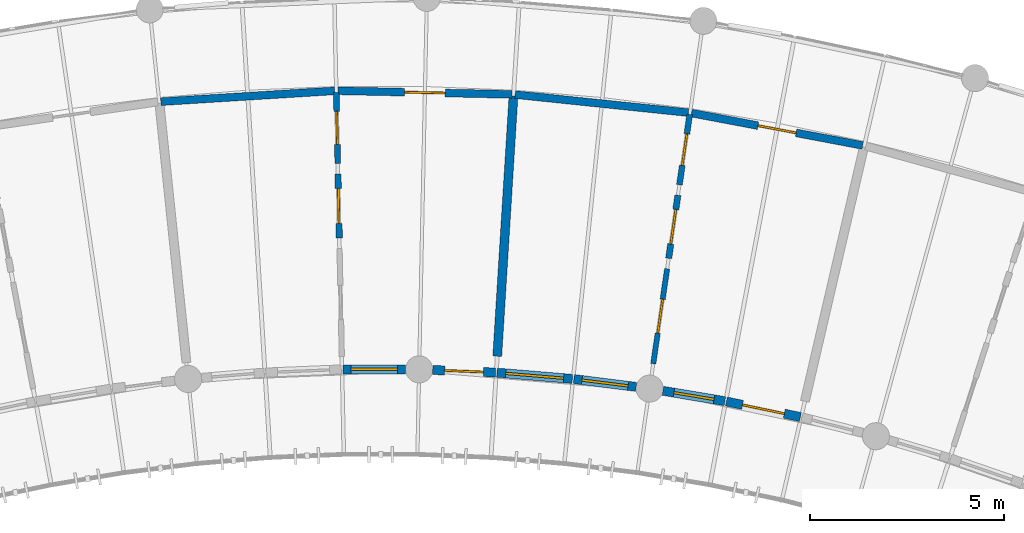
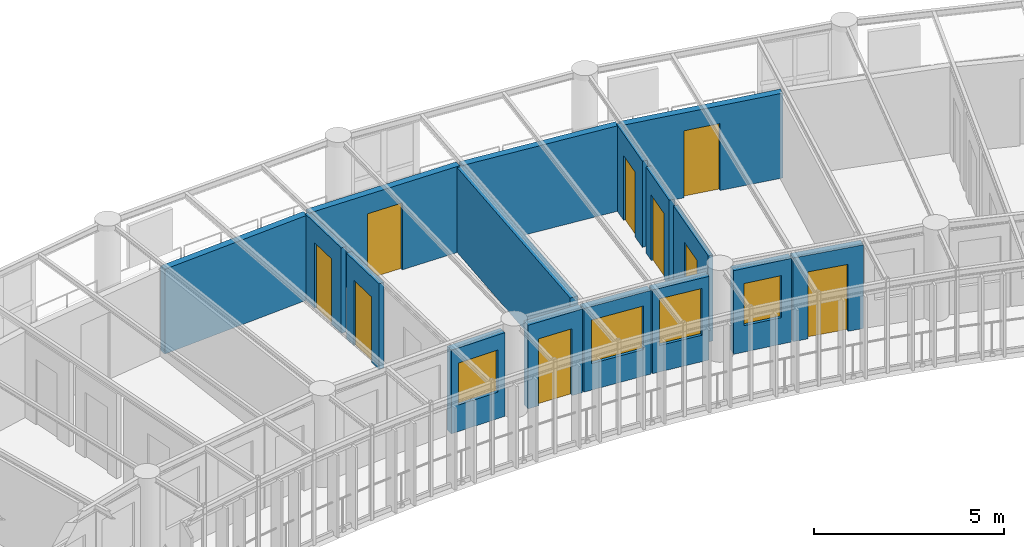
# One storey, part 74 of 100: 16 walls, 9 doors, 4 windows, 13 openings.
"""IFC4 building model written with IfcOpenShell, lengths in metres."""

from ifc_helpers import new_model, si_unit, direction, frame, frame_2d, origin, place, context, subcontext, project, spatial, rectangle, extrude, material, layer, layer_set, type_object, element, fill, save


model = new_model("IFC4")

# Units and contexts
model_context = context("Model", 3, precision=1e-05, world=origin(), true_north=direction((0.0, 1.0)))
body_context = subcontext(model_context, "Body", "Model", "MODEL_VIEW")
ifc_project = project(units=[si_unit("LENGTHUNIT", "METRE"), si_unit("AREAUNIT", "SQUARE_METRE"), si_unit("VOLUMEUNIT", "CUBIC_METRE"), si_unit("PLANEANGLEUNIT", "RADIAN"), si_unit("MASSUNIT", "GRAM", prefix="KILO"), si_unit("POWERUNIT", "WATT"), si_unit("THERMODYNAMICTEMPERATUREUNIT", "KELVIN")], contexts=[model_context])

# Site, building, storey
site_placement = place(None, origin())
site = spatial("IfcSite", under=ifc_project, at=site_placement, CompositionType="ELEMENT")
building_placement = place(site_placement, origin())
building = spatial("IfcBuilding", under=site, at=building_placement, Name="Ruvembo Vaulted Housing Court", CompositionType="ELEMENT")
storey_placement = place(building_placement, frame((0.0, 0.0, 10.89990234375)))
storey = spatial("IfcBuildingStorey", under=building, at=storey_placement, Name="L03", CompositionType="ELEMENT", Elevation=10.89990234375)

# Wall
ifc_material_1 = material(Name="Concrete Blockwork 200", Category="masonry")
ifc_layer_1 = layer(ifc_material_1, 0.199951171875, Name="Concrete Blockwork 200")
ifc_layer_set_1 = layer_set([ifc_layer_1], Name="Concrete Blockwork 200")
wall_type_1 = type_object("IfcWallType", Name="WL-CORR-200", PredefinedType="SOLIDWALL", material=ifc_layer_set_1)
wall_1_placement = place(storey_placement, frame((111.32177734375, 104.905517578125, 0.0), z_axis=(0.0, 0.0, 1.0), x_axis=(0.998063116084, 0.062209455176, 0.0)))
element("IfcWall", 1, at=wall_1_placement, inside=storey, type_object=wall_type_1, Name="L03 Suite SC3-L03-U4 Gallery Wall WL-INT-L03-01063", PredefinedType="SOLIDWALL", context=body_context, shape_type="SweptSolid", body=[
    extrude(rectangle(XDim=4.50146484375, YDim=0.199951171875, at=frame_2d((2.250732421875, 0.0))), origin(), (0.0, 0.0, 1.0), 2.72216796875),
])

# Wall, opening, door
wall_2_placement = place(storey_placement, frame((115.894287109375, 105.187255859375, 0.0), z_axis=(0.0, 0.0, 1.0), x_axis=(0.999785356511, -0.020718129879, 0.0)))
wall_2 = element("IfcWall", 2, at=wall_2_placement, inside=storey, type_object=wall_type_1, Name="L03 Suite SC3-L03-U4 Entrance WL-INT-L03-01064", PredefinedType="SOLIDWALL", context=body_context, shape_type="SweptSolid", body=[
    extrude(rectangle(XDim=4.50146484375, YDim=0.199951171875, at=frame_2d((2.250732421875, 0.0))), origin(), (0.0, 0.0, 1.0), 2.76220703125),
])
opening_1_placement = place(wall_2_placement, frame((1.7255859375, 0.0, 0.0)))
opening_1 = element("IfcOpeningElement", 3, at=opening_1_placement, cuts=wall_2, Name="Opening FD3", PredefinedType="OPENING", context=body_context, shape_type="SweptSolid", body=[
    extrude(rectangle(XDim=1.050048828125, YDim=2.14990234375, at=frame_2d((0.52490234375, 1.074951171875))), frame((0.0, 0.10986328125, 0.0), z_axis=(0.0, -1.0, 0.0), x_axis=(1.0, 0.0, 0.0)), (0.0, 0.0, 1.0), 0.219970703125),
])
ifc_material_2 = material(Name="FSC Hardwood and Engineered Timber", Category="wood")
door_type_1 = type_object("IfcDoorType", Name="DR-FLAT-1050x2150", OperationType="NOTDEFINED", PredefinedType="DOOR", material=ifc_material_2)
door_1_placement = place(opening_1_placement, origin())
door_1 = element("IfcDoor", 4, at=door_1_placement, inside=storey, type_object=door_type_1, Name="L03 Suite SC3-L03-U4 Entrance Door DR-INT-L03-00596", OperationType="SINGLE_SWING_RIGHT", OverallHeight=2.14990234375, OverallWidth=1.050048828125, PredefinedType="DOOR", context=body_context, shape_type="SweptSolid", body=[
    extrude(rectangle(XDim=1.050048828125, YDim=2.14990234375, at=frame_2d((0.52490234375, 1.074951171875))), frame((0.0, 0.02490234375, 0.0), z_axis=(0.0, -1.0, 0.0), x_axis=(1.0, 0.0, 0.0)), (0.0, 0.0, 1.0), 0.050048828125),
])
fill(opening_1, door_1)

# Wall
wall_3_placement = place(storey_placement, frame((120.474609375, 105.089111328125, 0.0), z_axis=(0.0, 0.0, 1.0), x_axis=(0.994614565886, -0.103642970468, 0.0)))
element("IfcWall", 5, at=wall_3_placement, inside=storey, type_object=wall_type_1, Name="L03 Suite SC3-L03-U5 Gallery Wall WL-INT-L03-01069", PredefinedType="SOLIDWALL", context=body_context, shape_type="SweptSolid", body=[
    extrude(rectangle(XDim=4.50146484375, YDim=0.199951171875, at=frame_2d((2.250732421875, 0.0))), origin(), (0.0, 0.0, 1.0), 2.7421875),
])

# Wall, opening, door
wall_4_placement = place(storey_placement, frame((125.031005859375, 104.611083984375, 0.0), z_axis=(0.0, 0.0, 1.0), x_axis=(0.982595404078, -0.18575863879, 0.0)))
wall_4 = element("IfcWall", 6, at=wall_4_placement, inside=storey, type_object=wall_type_1, Name="L03 Suite SC3-L03-U5 Entrance WL-INT-L03-01070", PredefinedType="SOLIDWALL", context=body_context, shape_type="SweptSolid", body=[
    extrude(rectangle(XDim=4.50146484375, YDim=0.199951171875, at=frame_2d((2.250732421875, 0.0))), origin(), (0.0, 0.0, 1.0), 2.72216796875),
])
opening_2_placement = place(wall_4_placement, frame((1.750732421875, 0.0, 0.0)))
opening_2 = element("IfcOpeningElement", 7, at=opening_2_placement, cuts=wall_4, Name="Opening FD1", PredefinedType="OPENING", context=body_context, shape_type="SweptSolid", body=[
    extrude(rectangle(XDim=1.0, YDim=2.14990234375, at=frame_2d((0.5, 1.074951171875))), frame((0.0, 0.10986328125, 0.0), z_axis=(0.0, -1.0, 0.0), x_axis=(1.0, 0.0, 0.0)), (0.0, 0.0, 1.0), 0.219970703125),
])
door_type_2 = type_object("IfcDoorType", Name="DR-FLAT-1000x2150", OperationType="NOTDEFINED", PredefinedType="DOOR", material=ifc_material_2)
door_2_placement = place(opening_2_placement, origin())
door_2 = element("IfcDoor", 8, at=door_2_placement, inside=storey, type_object=door_type_2, Name="L03 Suite SC3-L03-U5 Entrance Door DR-INT-L03-00600", OperationType="SINGLE_SWING_RIGHT", OverallHeight=2.14990234375, OverallWidth=1.0, PredefinedType="DOOR", context=body_context, shape_type="SweptSolid", body=[
    extrude(rectangle(XDim=1.0, YDim=2.14990234375, at=frame_2d((0.5, 1.074951171875))), frame((0.0, 0.02490234375, 0.0), z_axis=(0.0, -1.0, 0.0), x_axis=(1.0, 0.0, 0.0)), (0.0, 0.0, 1.0), 0.050048828125),
])
fill(opening_2, door_2)

# Wall
ifc_material_3 = material(Name="Acoustic Masonry Demising 230", Category="masonry")
ifc_layer_2 = layer(ifc_material_3, 0.22998046875, Name="Acoustic Masonry Demising 230")
ifc_layer_set_2 = layer_set([ifc_layer_2], Name="Acoustic Masonry Demising 230")
wall_type_2 = type_object("IfcWallType", Name="WL-DEM-230", PredefinedType="SOLIDWALL", material=ifc_layer_set_2)
wall_5_placement = place(storey_placement, frame((120.01318359375, 98.330078125, 0.0), z_axis=(0.0, 0.0, 1.0), x_axis=(0.062229364488, 0.998061874933, 0.0)))
element("IfcWall", 9, at=wall_5_placement, inside=storey, type_object=wall_type_2, Name="L03 Suite SC3-L03-U4 Demising WL-INT-L03-01068", PredefinedType="SOLIDWALL", context=body_context, shape_type="SweptSolid", body=[
    extrude(rectangle(XDim=6.736083984375, YDim=0.22998046875, at=frame_2d((3.3681640625, 0.0))), origin(), (0.0, 0.0, 1.0), 2.72216796875),
])

# Wall, opening, window
ifc_material_4 = material(Name="Rendered Masonry 235", Category="masonry")
ifc_layer_3 = layer(ifc_material_4, 0.235107421875, Name="Rendered Masonry 235")
ifc_layer_set_3 = layer_set([ifc_layer_3], Name="Rendered Masonry 235")
wall_type_3 = type_object("IfcWallType", Name="WL-EXT-235", PredefinedType="STANDARD", material=ifc_layer_set_3)
wall_6_placement = place(storey_placement, frame((116.023681640625, 97.98974609375, 0.0), z_axis=(0.0, 0.0, 1.0), x_axis=(1.0, 0.0, 0.0)))
wall_6 = element("IfcWall", 10, at=wall_6_placement, inside=storey, type_object=wall_type_3, Name="Scoop SC3 L03 Concave Balcony Wall 14", PredefinedType="STANDARD", context=body_context, shape_type="SweptSolid", body=[
    extrude(rectangle(XDim=1.62255859375, YDim=0.235107421875, at=frame_2d((0.811279296875, 0.0))), origin(), (0.0, 0.0, 1.0), 2.68408203125),
])
opening_3_placement = place(wall_6_placement, frame((0.211181640625, 0.0, 0.85009765625)))
opening_3 = element("IfcOpeningElement", 11, at=opening_3_placement, cuts=wall_6, Name="Opening W12", PredefinedType="OPENING", context=body_context, shape_type="SweptSolid", body=[
    extrude(rectangle(XDim=1.199951171875, YDim=1.35009765625, at=frame_2d((0.60009765625, 0.675048828125))), frame((0.0, 0.12744140625, 0.0), z_axis=(0.0, -1.0, 0.0), x_axis=(1.0, 0.0, 0.0)), (0.0, 0.0, 1.0), 0.255126953125),
])
ifc_material_5 = material(Name="Double Solar-Control Glazing in Aluminium Frame", Category="aluminium")
window_type_1 = type_object("IfcWindowType", Name="WIN-1200x1350", PartitioningType="SINGLE_PANEL", PredefinedType="WINDOW", material=ifc_material_5)
window_1_placement = place(opening_3_placement, origin())
window_1 = element("IfcWindow", 12, at=window_1_placement, inside=storey, type_object=window_type_1, Name="Scoop SC3 L03 Concave Window 14", OverallHeight=1.35009765625, OverallWidth=1.199951171875, PartitioningType="SINGLE_PANEL", PredefinedType="WINDOW", context=body_context, shape_type="SweptSolid", body=[
    extrude(rectangle(XDim=1.199951171875, YDim=1.35009765625, at=frame_2d((0.60009765625, 0.675048828125))), frame((0.0, 0.030029296875, 0.0), z_axis=(0.0, -1.0, 0.0), x_axis=(1.0, 0.0, 0.0)), (0.0, 0.0, 1.0), 0.06005859375),
])
fill(opening_3, window_1)

# Wall, opening, door
wall_7_placement = place(storey_placement, frame((118.345947265625, 97.97509765625, 0.0), z_axis=(0.0, 0.0, 1.0), x_axis=(0.999136981031, -0.041536648104, 0.0)))
wall_7 = element("IfcWall", 13, at=wall_7_placement, inside=storey, type_object=wall_type_3, Name="Scoop SC3 L03 Concave Balcony Wall 15", PredefinedType="STANDARD", context=body_context, shape_type="SweptSolid", body=[
    extrude(rectangle(XDim=1.622314453125, YDim=0.235107421875, at=frame_2d((0.81103515625, 0.0))), origin(), (0.0, 0.0, 1.0), 2.68408203125),
])
opening_4_placement = place(wall_7_placement, frame((0.311279296875, 0.0, 0.0)))
opening_4 = element("IfcOpeningElement", 14, at=opening_4_placement, cuts=wall_7, Name="Opening BD1", PredefinedType="OPENING", context=body_context, shape_type="SweptSolid", body=[
    extrude(rectangle(XDim=1.0, YDim=2.14990234375, at=frame_2d((0.5, 1.074951171875))), frame((0.0, 0.12744140625, 0.0), z_axis=(0.0, -1.0, 0.0), x_axis=(1.0, 0.0, 0.0)), (0.0, 0.0, 1.0), 0.255126953125),
])
ifc_material_6 = material(Name="Thermally Broken Glazed Aluminium", Category="aluminium")
door_type_3 = type_object("IfcDoorType", Name="DR-BAL-1000x2150", OperationType="NOTDEFINED", PredefinedType="DOOR", material=ifc_material_6)
door_3_placement = place(opening_4_placement, frame((1.0, 0.0, 0.0), z_axis=(0.0, 0.0, 1.0), x_axis=(-1.0, 0.0, 0.0)))
door_3 = element("IfcDoor", 15, at=door_3_placement, inside=storey, type_object=door_type_3, Name="Scoop SC3 L03 Balcony Door 15", OperationType="SINGLE_SWING_RIGHT", OverallHeight=2.14990234375, OverallWidth=1.0, PredefinedType="DOOR", context=body_context, shape_type="SweptSolid", body=[
    extrude(rectangle(XDim=1.0, YDim=2.14990234375, at=frame_2d((0.5, 1.074951171875))), frame((0.0, 0.02490234375, 0.0), z_axis=(0.0, -1.0, 0.0), x_axis=(1.0, 0.0, 0.0)), (0.0, 0.0, 1.0), 0.050048828125),
])
fill(opening_4, door_3)

# Wall, opening, window
wall_8_placement = place(storey_placement, frame((120.006591796875, 97.9052734375, 0.0), z_axis=(0.0, 0.0, 1.0), x_axis=(0.996557820409, -0.082900606641, 0.0)))
wall_8 = element("IfcWall", 16, at=wall_8_placement, inside=storey, type_object=wall_type_3, Name="Scoop SC3 L03 Concave Balcony Wall 16", PredefinedType="STANDARD", context=body_context, shape_type="SweptSolid", body=[
    extrude(rectangle(XDim=1.95263671875, YDim=0.235107421875, at=frame_2d((0.976318359375, 0.0))), origin(), (0.0, 0.0, 1.0), 2.68408203125),
])
opening_5_placement = place(wall_8_placement, frame((0.226318359375, 0.0, 0.85009765625)))
opening_5 = element("IfcOpeningElement", 17, at=opening_5_placement, cuts=wall_8, Name="Opening W18", PredefinedType="OPENING", context=body_context, shape_type="SweptSolid", body=[
    extrude(rectangle(XDim=1.5, YDim=1.39990234375, at=frame_2d((0.75, 0.699951171875))), frame((0.0, 0.12744140625, 0.0), z_axis=(0.0, -1.0, 0.0), x_axis=(1.0, 0.0, 0.0)), (0.0, 0.0, 1.0), 0.255126953125),
])
window_type_2 = type_object("IfcWindowType", Name="WIN-1500x1400", PartitioningType="SINGLE_PANEL", PredefinedType="WINDOW", material=ifc_material_5)
window_2_placement = place(opening_5_placement, origin())
window_2 = element("IfcWindow", 18, at=window_2_placement, inside=storey, type_object=window_type_2, Name="Scoop SC3 L03 Concave Window 16", OverallHeight=1.39990234375, OverallWidth=1.5, PartitioningType="SINGLE_PANEL", PredefinedType="WINDOW", context=body_context, shape_type="SweptSolid", body=[
    extrude(rectangle(XDim=1.5, YDim=1.39990234375, at=frame_2d((0.75, 0.699951171875))), frame((0.0, 0.030029296875, 0.0), z_axis=(0.0, -1.0, 0.0), x_axis=(1.0, 0.0, 0.0)), (0.0, 0.0, 1.0), 0.06005859375),
])
fill(opening_5, window_2)

wall_9_placement = place(storey_placement, frame((121.9921875, 97.7392578125, 0.0), z_axis=(0.0, 0.0, 1.0), x_axis=(0.992263980046, -0.124145857376, 0.0)))
wall_9 = element("IfcWall", 19, at=wall_9_placement, inside=storey, type_object=wall_type_3, Name="Scoop SC3 L03 Concave Balcony Wall 17", PredefinedType="STANDARD", context=body_context, shape_type="SweptSolid", body=[
    extrude(rectangle(XDim=1.622314453125, YDim=0.235107421875, at=frame_2d((0.81103515625, 0.0))), origin(), (0.0, 0.0, 1.0), 2.68408203125),
])
opening_6_placement = place(wall_9_placement, frame((0.211181640625, 0.0, 0.85009765625)))
opening_6 = element("IfcOpeningElement", 20, at=opening_6_placement, cuts=wall_9, Name="Opening W14", PredefinedType="OPENING", context=body_context, shape_type="SweptSolid", body=[
    extrude(rectangle(XDim=1.199951171875, YDim=1.5, at=frame_2d((0.60009765625, 0.75))), frame((0.0, 0.12744140625, 0.0), z_axis=(0.0, -1.0, 0.0), x_axis=(1.0, 0.0, 0.0)), (0.0, 0.0, 1.0), 0.255126953125),
])
window_type_3 = type_object("IfcWindowType", Name="WIN-1200x1500", PartitioningType="SINGLE_PANEL", PredefinedType="WINDOW", material=ifc_material_5)
window_3_placement = place(opening_6_placement, origin())
window_3 = element("IfcWindow", 21, at=window_3_placement, inside=storey, type_object=window_type_3, Name="Scoop SC3 L03 Concave Window 17", OverallHeight=1.5, OverallWidth=1.199951171875, PartitioningType="SINGLE_PANEL", PredefinedType="WINDOW", context=body_context, shape_type="SweptSolid", body=[
    extrude(rectangle(XDim=1.199951171875, YDim=1.5, at=frame_2d((0.60009765625, 0.75))), frame((0.0, 0.030029296875, 0.0), z_axis=(0.0, -1.0, 0.0), x_axis=(1.0, 0.0, 0.0)), (0.0, 0.0, 1.0), 0.06005859375),
])
fill(opening_6, window_3)

wall_10_placement = place(storey_placement, frame((124.29443359375, 97.436279296875, 0.0), z_axis=(0.0, 0.0, 1.0), x_axis=(0.986255294666, -0.16522861055, 0.0)))
wall_10 = element("IfcWall", 22, at=wall_10_placement, inside=storey, type_object=wall_type_3, Name="Scoop SC3 L03 Concave Balcony Wall 18", PredefinedType="STANDARD", context=body_context, shape_type="SweptSolid", body=[
    extrude(rectangle(XDim=1.622314453125, YDim=0.235107421875, at=frame_2d((0.81103515625, 0.0))), origin(), (0.0, 0.0, 1.0), 2.68408203125),
])
opening_7_placement = place(wall_10_placement, frame((0.2861328125, 0.0, 0.85009765625)))
opening_7 = element("IfcOpeningElement", 23, at=opening_7_placement, cuts=wall_10, Name="Opening W09", PredefinedType="OPENING", context=body_context, shape_type="SweptSolid", body=[
    extrude(rectangle(XDim=1.050048828125, YDim=1.35009765625, at=frame_2d((0.52490234375, 0.675048828125))), frame((0.0, 0.12744140625, 0.0), z_axis=(0.0, -1.0, 0.0), x_axis=(1.0, 0.0, 0.0)), (0.0, 0.0, 1.0), 0.255126953125),
])
window_type_4 = type_object("IfcWindowType", Name="WIN-1050x1350", PartitioningType="SINGLE_PANEL", PredefinedType="WINDOW", material=ifc_material_5)
window_4_placement = place(opening_7_placement, origin())
window_4 = element("IfcWindow", 24, at=window_4_placement, inside=storey, type_object=window_type_4, Name="Scoop SC3 L03 Concave Window 18", OverallHeight=1.35009765625, OverallWidth=1.050048828125, PartitioningType="SINGLE_PANEL", PredefinedType="WINDOW", context=body_context, shape_type="SweptSolid", body=[
    extrude(rectangle(XDim=1.050048828125, YDim=1.35009765625, at=frame_2d((0.52490234375, 0.675048828125))), frame((0.0, 0.030029296875, 0.0), z_axis=(0.0, -1.0, 0.0), x_axis=(1.0, 0.0, 0.0)), (0.0, 0.0, 1.0), 0.06005859375),
])
fill(opening_7, window_4)

# Wall, opening, door
wall_11_placement = place(storey_placement, frame((125.933837890625, 97.160888671875, 0.0), z_axis=(0.0, 0.0, 1.0), x_axis=(0.978533860292, -0.206086108851, 0.0)))
wall_11 = element("IfcWall", 25, at=wall_11_placement, inside=storey, type_object=wall_type_3, Name="Scoop SC3 L03 Concave Balcony Wall 19", PredefinedType="STANDARD", context=body_context, shape_type="SweptSolid", body=[
    extrude(rectangle(XDim=1.952392578125, YDim=0.235107421875, at=frame_2d((0.97607421875, 0.0))), origin(), (0.0, 0.0, 1.0), 2.68408203125),
])
opening_8_placement = place(wall_11_placement, frame((0.42626953125, 0.0, 0.0)))
opening_8 = element("IfcOpeningElement", 26, at=opening_8_placement, cuts=wall_11, Name="Opening BD3", PredefinedType="OPENING", context=body_context, shape_type="SweptSolid", body=[
    extrude(rectangle(XDim=1.10009765625, YDim=2.14990234375, at=frame_2d((0.550048828125, 1.074951171875))), frame((0.0, 0.12744140625, 0.0), z_axis=(0.0, -1.0, 0.0), x_axis=(1.0, 0.0, 0.0)), (0.0, 0.0, 1.0), 0.255126953125),
])
door_type_4 = type_object("IfcDoorType", Name="DR-BAL-1100x2150", OperationType="NOTDEFINED", PredefinedType="DOOR", material=ifc_material_6)
door_4_placement = place(opening_8_placement, frame((1.10009765625, 0.0, 0.0), z_axis=(0.0, 0.0, 1.0), x_axis=(-1.0, 0.0, 0.0)))
door_4 = element("IfcDoor", 27, at=door_4_placement, inside=storey, type_object=door_type_4, Name="Scoop SC3 L03 Balcony Door 19", OperationType="SINGLE_SWING_LEFT", OverallHeight=2.14990234375, OverallWidth=1.10009765625, PredefinedType="DOOR", context=body_context, shape_type="SweptSolid", body=[
    extrude(rectangle(XDim=1.10009765625, YDim=2.14990234375, at=frame_2d((0.550048828125, 1.074951171875))), frame((0.0, 0.02490234375, 0.0), z_axis=(0.0, -1.0, 0.0), x_axis=(1.0, 0.0, 0.0)), (0.0, 0.0, 1.0), 0.050048828125),
])
fill(opening_8, door_4)

ifc_material_7 = material(Name="Acoustic Stud Partition 135", Category="gypsum")
ifc_layer_4 = layer(ifc_material_7, 0.135009765625, Name="Acoustic Stud Partition 135")
ifc_layer_set_4 = layer_set([ifc_layer_4], Name="Acoustic Stud Partition 135")
wall_type_4 = type_object("IfcWallType", Name="WL-PART-135", PredefinedType="PARTITIONING", material=ifc_layer_set_4)
wall_12_placement = place(storey_placement, frame((124.043212890625, 98.135498046875, 0.0), z_axis=(0.0, 0.0, 1.0), x_axis=(0.1447145522, 0.989473445011, 0.0)))
wall_12 = element("IfcWall", 28, at=wall_12_placement, inside=storey, type_object=wall_type_4, Name="L03 Suite SC3-L03-U5 Bedroom WL-INT-L03-01071", PredefinedType="PARTITIONING", context=body_context, shape_type="SweptSolid", body=[
    extrude(rectangle(XDim=2.47998046875, YDim=0.135009765625, at=frame_2d((1.239990234375, 0.0))), origin(), (0.0, 0.0, 1.0), 2.76220703125),
])
opening_9_placement = place(wall_12_placement, frame((0.800048828125, 0.0, 0.0)))
opening_9 = element("IfcOpeningElement", 29, at=opening_9_placement, cuts=wall_12, Name="Opening ID3", PredefinedType="OPENING", context=body_context, shape_type="SweptSolid", body=[
    extrude(rectangle(XDim=0.8798828125, YDim=2.10009765625, at=frame_2d((0.43994140625, 1.050048828125))), frame((0.0, 0.077392578125, 0.0), z_axis=(0.0, -1.0, 0.0), x_axis=(1.0, 0.0, 0.0)), (0.0, 0.0, 1.0), 0.155029296875),
])
door_type_5 = type_object("IfcDoorType", Name="DR-ROOM-0880x2100", OperationType="NOTDEFINED", PredefinedType="DOOR", material=ifc_material_2)
door_5_placement = place(opening_9_placement, origin())
door_5 = element("IfcDoor", 30, at=door_5_placement, inside=storey, type_object=door_type_5, Name="L03 Suite SC3-L03-U5 Bedroom Door DR-INT-L03-00601", OperationType="SINGLE_SWING_LEFT", OverallHeight=2.10009765625, OverallWidth=0.8798828125, PredefinedType="DOOR", context=body_context, shape_type="SweptSolid", body=[
    extrude(rectangle(XDim=0.8798828125, YDim=2.10009765625, at=frame_2d((0.43994140625, 1.050048828125))), frame((0.0, 0.02490234375, 0.0), z_axis=(0.0, -1.0, 0.0), x_axis=(1.0, 0.0, 0.0)), (0.0, 0.0, 1.0), 0.050048828125),
])
fill(opening_9, door_5)

ifc_material_8 = material(Name="Moisture-Resistant Wet Partition 150", Category="gypsum")
ifc_layer_5 = layer(ifc_material_8, 0.14990234375, Name="Moisture-Resistant Wet Partition 150")
ifc_layer_set_5 = layer_set([ifc_layer_5], Name="Moisture-Resistant Wet Partition 150")
wall_type_5 = type_object("IfcWallType", Name="WL-PART-150", PredefinedType="PARTITIONING", material=ifc_layer_set_5)
wall_13_placement = place(storey_placement, frame((115.893310546875, 103.30859375, 0.0), z_axis=(0.0, 0.0, 1.0), x_axis=(-0.020698948586, 0.999785753813, 0.0)))
wall_13 = element("IfcWall", 31, at=wall_13_placement, inside=storey, type_object=wall_type_5, Name="L03 Suite SC3-L03-U4 Bathroom WL-INT-L03-01067", PredefinedType="PARTITIONING", context=body_context, shape_type="SweptSolid", body=[
    extrude(rectangle(XDim=1.840087890625, YDim=0.14990234375, at=frame_2d((0.919921875, 0.0))), origin(), (0.0, 0.0, 1.0), 2.7421875),
])
opening_10_placement = place(wall_13_placement, frame((0.4951171875, 0.0, 0.0)))
opening_10 = element("IfcOpeningElement", 32, at=opening_10_placement, cuts=wall_13, Name="Opening ID2", PredefinedType="OPENING", context=body_context, shape_type="SweptSolid", body=[
    extrude(rectangle(XDim=0.85009765625, YDim=2.10009765625, at=frame_2d((0.425048828125, 1.050048828125))), frame((0.0, 0.0849609375, 0.0), z_axis=(0.0, -1.0, 0.0), x_axis=(1.0, 0.0, 0.0)), (0.0, 0.0, 1.0), 0.169921875),
])
door_type_6 = type_object("IfcDoorType", Name="DR-WET-0850x2100", OperationType="NOTDEFINED", PredefinedType="DOOR", material=ifc_material_2)
door_6_placement = place(opening_10_placement, origin())
door_6 = element("IfcDoor", 33, at=door_6_placement, inside=storey, type_object=door_type_6, Name="L03 Suite SC3-L03-U4 Bathroom Door DR-INT-L03-00599", OperationType="SINGLE_SWING_LEFT", OverallHeight=2.10009765625, OverallWidth=0.85009765625, PredefinedType="DOOR", context=body_context, shape_type="SweptSolid", body=[
    extrude(rectangle(XDim=0.85009765625, YDim=2.10009765625, at=frame_2d((0.425048828125, 1.050048828125))), frame((0.0, 0.02490234375, 0.0), z_axis=(0.0, -1.0, 0.0), x_axis=(1.0, 0.0, 0.0)), (0.0, 0.0, 1.0), 0.050048828125),
])
fill(opening_10, door_6)

wall_14_placement = place(storey_placement, frame((124.719482421875, 102.75830078125, 0.0), z_axis=(0.0, 0.0, 1.0), x_axis=(0.144764326796, 0.989466163993, 0.0)))
wall_14 = element("IfcWall", 34, at=wall_14_placement, inside=storey, type_object=wall_type_5, Name="L03 Suite SC3-L03-U5 Bathroom WL-INT-L03-01073", PredefinedType="PARTITIONING", context=body_context, shape_type="SweptSolid", body=[
    extrude(rectangle(XDim=1.83984375, YDim=0.14990234375, at=frame_2d((0.919921875, 0.0))), origin(), (0.0, 0.0, 1.0), 2.76220703125),
])
opening_11_placement = place(wall_14_placement, frame((0.510009765625, 0.0, 0.0)))
opening_11 = element("IfcOpeningElement", 35, at=opening_11_placement, cuts=wall_14, Name="Opening ID4", PredefinedType="OPENING", context=body_context, shape_type="SweptSolid", body=[
    extrude(rectangle(XDim=0.820068359375, YDim=2.080078125, at=frame_2d((0.41015625, 1.0400390625))), frame((0.0, 0.0849609375, 0.0), z_axis=(0.0, -1.0, 0.0), x_axis=(1.0, 0.0, 0.0)), (0.0, 0.0, 1.0), 0.169921875),
])
door_type_7 = type_object("IfcDoorType", Name="DR-WET-0820x2080", OperationType="NOTDEFINED", PredefinedType="DOOR", material=ifc_material_2)
door_7_placement = place(opening_11_placement, origin())
door_7 = element("IfcDoor", 36, at=door_7_placement, inside=storey, type_object=door_type_7, Name="L03 Suite SC3-L03-U5 Bathroom Door DR-INT-L03-00603", OperationType="SINGLE_SWING_LEFT", OverallHeight=2.080078125, OverallWidth=0.820068359375, PredefinedType="DOOR", context=body_context, shape_type="SweptSolid", body=[
    extrude(rectangle(XDim=0.820068359375, YDim=2.080078125, at=frame_2d((0.41015625, 1.0400390625))), frame((0.0, 0.02490234375, 0.0), z_axis=(0.0, -1.0, 0.0), x_axis=(1.0, 0.0, 0.0)), (0.0, 0.0, 1.0), 0.050048828125),
])
fill(opening_11, door_7)

ifc_material_9 = material(Name="Acoustic Service Chase Wall 160", Category="gypsum")
ifc_layer_6 = layer(ifc_material_9, 0.159912109375, Name="Acoustic Service Chase Wall 160")
ifc_layer_set_6 = layer_set([ifc_layer_6], Name="Acoustic Service Chase Wall 160")
wall_type_6 = type_object("IfcWallType", Name="WL-PLUMB-160", PredefinedType="PLUMBINGWALL", material=ifc_layer_set_6)
wall_15_placement = place(storey_placement, frame((115.933349609375, 101.388916015625, 0.0), z_axis=(0.0, 0.0, 1.0), x_axis=(-0.020887426075, 0.999781833918, 0.0)))
wall_15 = element("IfcWall", 37, at=wall_15_placement, inside=storey, type_object=wall_type_6, Name="L03 Suite SC3-L03-U4 Kitchen WL-INT-L03-01066", PredefinedType="PLUMBINGWALL", context=body_context, shape_type="SweptSolid", body=[
    extrude(rectangle(XDim=1.64794921875, YDim=0.159912109375, at=frame_2d((0.823974609375, 0.0))), origin(), (0.0, 0.0, 1.0), 2.7421875),
])
opening_12_placement = place(wall_15_placement, frame((0.3740234375, 0.0, 0.0)))
opening_12 = element("IfcOpeningElement", 38, at=opening_12_placement, cuts=wall_15, Name="Opening ID1", PredefinedType="OPENING", context=body_context, shape_type="SweptSolid", body=[
    extrude(rectangle(XDim=0.89990234375, YDim=2.10009765625, at=frame_2d((0.449951171875, 1.050048828125))), frame((0.0, 0.08984375, 0.0), z_axis=(0.0, -1.0, 0.0), x_axis=(1.0, 0.0, 0.0)), (0.0, 0.0, 1.0), 0.179931640625),
])
door_type_8 = type_object("IfcDoorType", Name="DR-ROOM-0900x2100", OperationType="NOTDEFINED", PredefinedType="DOOR", material=ifc_material_2)
door_8_placement = place(opening_12_placement, origin())
door_8 = element("IfcDoor", 39, at=door_8_placement, inside=storey, type_object=door_type_8, Name="L03 Suite SC3-L03-U4 Kitchen Door DR-INT-L03-00598", OperationType="SINGLE_SWING_RIGHT", OverallHeight=2.10009765625, OverallWidth=0.89990234375, PredefinedType="DOOR", context=body_context, shape_type="SweptSolid", body=[
    extrude(rectangle(XDim=0.89990234375, YDim=2.10009765625, at=frame_2d((0.449951171875, 1.050048828125))), frame((0.0, 0.02490234375, 0.0), z_axis=(0.0, -1.0, 0.0), x_axis=(1.0, 0.0, 0.0)), (0.0, 0.0, 1.0), 0.050048828125),
])
fill(opening_12, door_8)

wall_16_placement = place(storey_placement, frame((124.44140625, 100.8583984375, 0.0), z_axis=(0.0, 0.0, 1.0), x_axis=(0.144884079374, 0.989448636132, 0.0)))
wall_16 = element("IfcWall", 40, at=wall_16_placement, inside=storey, type_object=wall_type_6, Name="L03 Suite SC3-L03-U5 Kitchen WL-INT-L03-01072", PredefinedType="PLUMBINGWALL", context=body_context, shape_type="SweptSolid", body=[
    extrude(rectangle(XDim=1.64794921875, YDim=0.159912109375, at=frame_2d((0.823974609375, 0.0))), origin(), (0.0, 0.0, 1.0), 2.76220703125),
])
opening_13_placement = place(wall_16_placement, frame((0.3740234375, 0.0, 0.0)))
opening_13 = element("IfcOpeningElement", 41, at=opening_13_placement, cuts=wall_16, Name="Opening ID1", PredefinedType="OPENING", context=body_context, shape_type="SweptSolid", body=[
    extrude(rectangle(XDim=0.89990234375, YDim=2.10009765625, at=frame_2d((0.449951171875, 1.050048828125))), frame((0.0, 0.08984375, 0.0), z_axis=(0.0, -1.0, 0.0), x_axis=(1.0, 0.0, 0.0)), (0.0, 0.0, 1.0), 0.179931640625),
])
door_9_placement = place(opening_13_placement, origin())
door_9 = element("IfcDoor", 42, at=door_9_placement, inside=storey, type_object=door_type_8, Name="L03 Suite SC3-L03-U5 Kitchen Door DR-INT-L03-00602", OperationType="SINGLE_SWING_RIGHT", OverallHeight=2.10009765625, OverallWidth=0.89990234375, PredefinedType="DOOR", context=body_context, shape_type="SweptSolid", body=[
    extrude(rectangle(XDim=0.89990234375, YDim=2.10009765625, at=frame_2d((0.449951171875, 1.050048828125))), frame((0.0, 0.02490234375, 0.0), z_axis=(0.0, -1.0, 0.0), x_axis=(1.0, 0.0, 0.0)), (0.0, 0.0, 1.0), 0.050048828125),
])
fill(opening_13, door_9)

save(model, "model.ifc")
